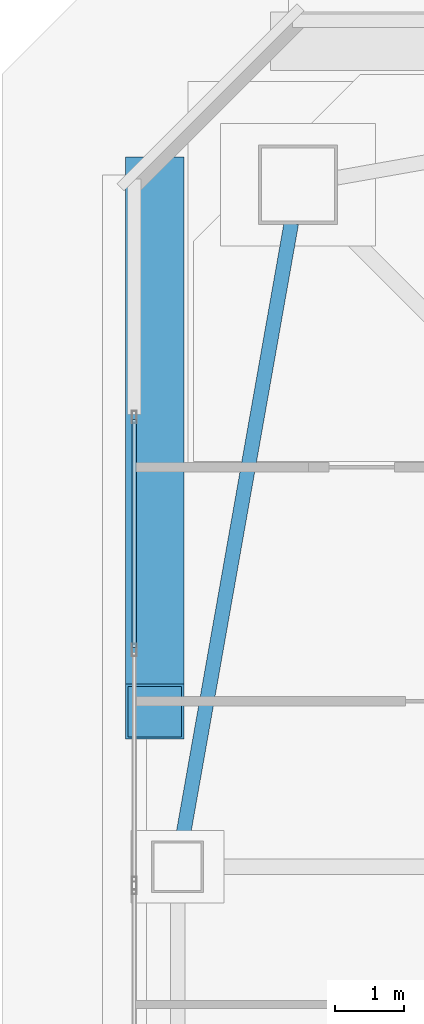
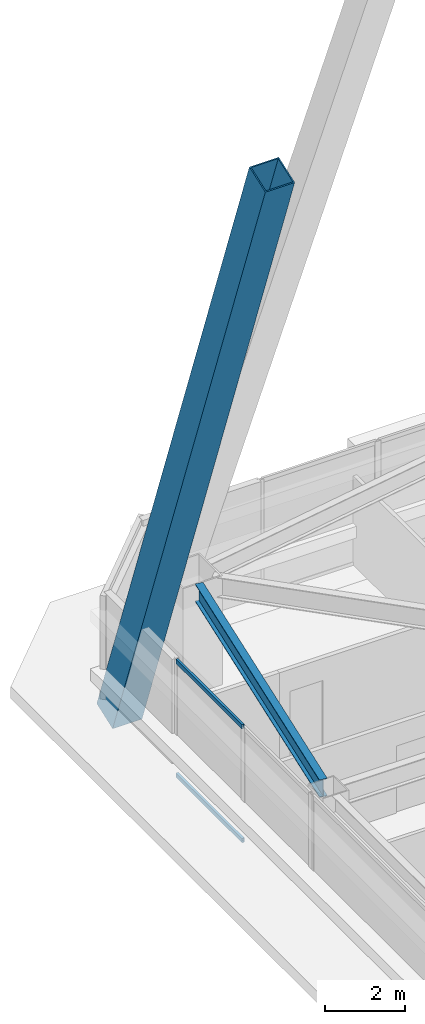
# One storey, part 17 of 65: 3 members, 1 beam, 1 element without a shape of its own.
"""IFC4 building model written with IfcOpenShell, lengths in metres."""

from ifc_helpers import new_model, si_unit, direction, frame, origin, origin_2d, place, context, subcontext, project, spatial, hollow_rectangle, i_section, extrude, material, material_profile, profile_set, type_object, element, aggregate, save


model = new_model("IFC4")

# Units and contexts
model_context = context("Model", 3, precision=1e-05, world=origin(), true_north=direction((0.0, 1.0)))
body_context = subcontext(model_context, "Body", "Model", "MODEL_VIEW")
ifc_project = project(units=[si_unit("LENGTHUNIT", "METRE"), si_unit("AREAUNIT", "SQUARE_METRE"), si_unit("VOLUMEUNIT", "CUBIC_METRE"), si_unit("PLANEANGLEUNIT", "RADIAN"), si_unit("MASSUNIT", "GRAM", prefix="KILO")], contexts=[model_context])

# Site, building, storey
site_placement = place(None, origin())
site = spatial("IfcSite", under=ifc_project, at=site_placement, CompositionType="ELEMENT")
building_placement = place(site_placement, origin())
building = spatial("IfcBuilding", under=site, at=building_placement, Name="Tashvorn Skyway Center", CompositionType="ELEMENT")
storey_placement = place(building_placement, frame((0.0, 0.0, 157.0)))
storey = spatial("IfcBuildingStorey", under=building, at=storey_placement, Name="L42", CompositionType="ELEMENT", Elevation=157.0)

# Beam
ifc_material_1 = material(Name="Steel ASTM A992 Grade 50", Category="steel")
ifc_material_profile_1 = material_profile(ifc_material_1, i_section(OverallWidth=0.2109375, OverallDepth=0.5390625, WebThickness=0.01171875, FlangeThickness=0.018798828125, at=origin_2d()), Name="W21X73")
ifc_profile_set_1 = profile_set([ifc_material_profile_1], Name="Steel ASTM A992 Grade 50")
beam_type = type_object("IfcBeamType", Name="BM-SPANDREL-W21X73", PredefinedType="SPANDREL", material=ifc_profile_set_1)
beam_placement = place(storey_placement, frame((26.600830078125, 46.73876953125, 3.1005859375), z_axis=(-0.174074160933, -0.984732545667, 0.0), x_axis=(0.984732545667, -0.174074160933, 0.0)))
element("IfcBeam", 1, at=beam_placement, inside=storey, type_object=beam_type, Name="Tower 1 L42 Spandrel Beam 10", PredefinedType="SPANDREL", context=body_context, shape_type="SweptSolid", body=[
    extrude(i_section(OverallWidth=0.2109375, OverallDepth=0.5390625, WebThickness=0.01171875, FlangeThickness=0.018798828125, at=origin_2d()), origin(), (0.0, 0.0, 1.0), 9.113525390625),
])

# Curtain wall, members
ifc_material_2 = material(Name="Thermally broken bronze-anodized aluminium 6063-T6", Category="aluminium")
curtain_wall_type = type_object("IfcCurtainWallType", Name="CW-CW-Z4", PredefinedType="NOTDEFINED", material=ifc_material_2)
curtain_wall_placement = place(storey_placement, origin())
curtain_wall = element("IfcCurtainWall", 2, at=curtain_wall_placement, inside=storey, type_object=curtain_wall_type, Name="Tower 1 L42 West Unitised Curtain Wall Glazing Group 3", PredefinedType="NOTDEFINED")
ifc_material_profile_2 = material_profile(ifc_material_2, hollow_rectangle(XDim=0.070068359375, YDim=0.1298828125, WallThickness=0.00390625, at=origin_2d()), Name="ALU-TRAN-70x130")
ifc_profile_set_2 = profile_set([ifc_material_profile_2], Name="Thermally broken bronze-anodized aluminium 6063-T6")
member_type_1 = type_object("IfcMemberType", Name="CWT-CW-Z4", PredefinedType="USERDEFINED", material=ifc_profile_set_2)
member_1_placement = place(storey_placement, frame((24.320068359375, 40.579345703125, 0.034912109375), z_axis=(0.0, 1.0, 0.0), x_axis=(-1.0, 0.0, 0.0)))
member_1 = element("IfcMember", 3, at=member_1_placement, type_object=member_type_1, Name="CW-Z4 transom 2.1", ObjectType="TRANSOM", PredefinedType="USERDEFINED", context=body_context, shape_type="SweptSolid", body=[
    extrude(hollow_rectangle(XDim=0.070068359375, YDim=0.1298828125, WallThickness=0.00390625, at=origin_2d()), origin(), (0.0, 0.0, 1.0), 3.312744140625),
])
member_2_placement = place(storey_placement, frame((24.320068359375, 40.579345703125, 3.514892578125), z_axis=(0.0, 1.0, 0.0), x_axis=(-1.0, 0.0, 0.0)))
member_2 = element("IfcMember", 4, at=member_2_placement, type_object=member_type_1, Name="CW-Z4 transom 2.2", ObjectType="TRANSOM", PredefinedType="USERDEFINED", context=body_context, shape_type="SweptSolid", body=[
    extrude(hollow_rectangle(XDim=0.070068359375, YDim=0.1298828125, WallThickness=0.00390625, at=origin_2d()), origin(), (0.0, 0.0, 1.0), 3.312744140625),
])
aggregate(curtain_wall, [member_1, member_2])

# Member
ifc_material_3 = material(Name="Steel ASTM A572 Grade 50", Category="steel")
ifc_material_profile_3 = material_profile(ifc_material_3, hollow_rectangle(XDim=0.85009765625, YDim=0.85009765625, WallThickness=0.034912109375, at=origin_2d()), Name="BOX850x850x35")
ifc_profile_set_3 = profile_set([ifc_material_profile_3], Name="Steel ASTM A572 Grade 50")
member_type_2 = type_object("IfcMemberType", Name="MEM-MB-850", PredefinedType="BRACE", material=ifc_profile_set_3)
member_3_placement = place(storey_placement, frame((24.6201171875, 47.300048828125, -0.199951171875), z_axis=(0.0, -0.341568887038, 0.93985674196), x_axis=(1.0, 0.0, 0.0)))
element("IfcMember", 5, at=member_3_placement, inside=storey, type_object=member_type_2, Name="Tower 1 Zone 4 W Chevron Mega-Brace L1", PredefinedType="BRACE", context=body_context, shape_type="SweptSolid", body=[
    extrude(hollow_rectangle(XDim=0.85009765625, YDim=0.85009765625, WallThickness=0.034912109375, at=origin_2d()), origin(), (0.0, 0.0, 1.0), 22.39697265625),
])

save(model, "model.ifc")
